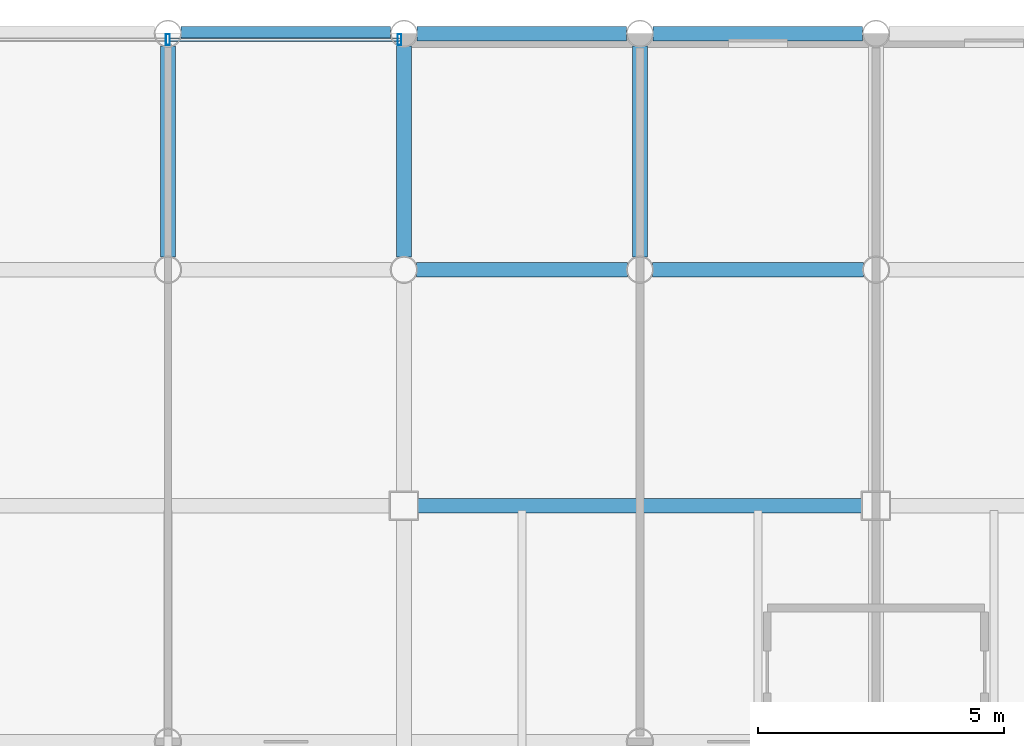
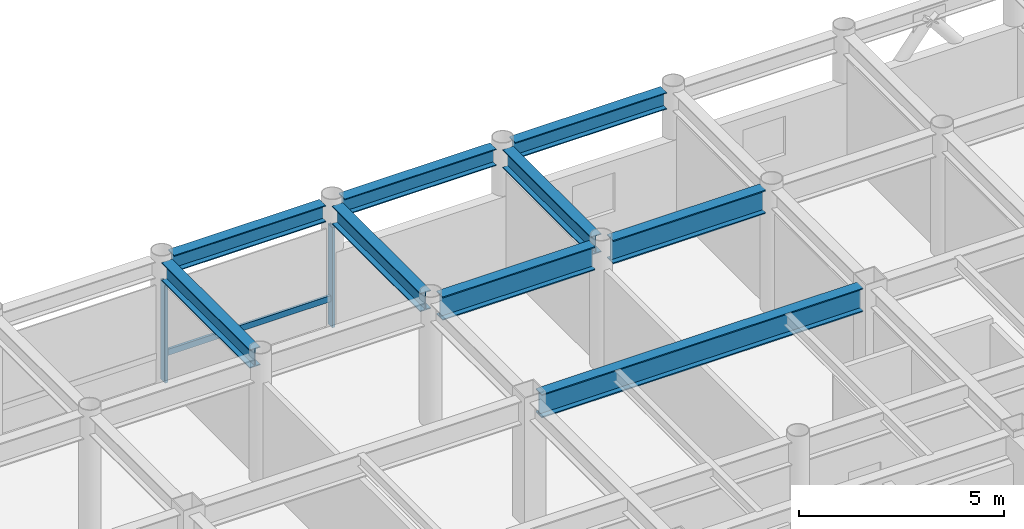
# One storey, part 15 of 22: 9 beams, 3 members, 1 element without a shape of its own.
"""IFC4 building model written with IfcOpenShell, lengths in metres."""

from ifc_helpers import new_model, si_unit, direction, frame, origin, origin_2d, place, context, subcontext, project, spatial, hollow_rectangle, i_section, extrude, material, layer, layer_set, material_profile, profile_set, type_object, element, aggregate, save


model = new_model("IFC4")

# Units and contexts
model_context = context("Model", 3, precision=1e-05, world=origin(), true_north=direction((0.0, 1.0)))
body_context = subcontext(model_context, "Body", "Model", "MODEL_VIEW")
ifc_project = project(units=[si_unit("LENGTHUNIT", "METRE"), si_unit("AREAUNIT", "SQUARE_METRE"), si_unit("VOLUMEUNIT", "CUBIC_METRE"), si_unit("PLANEANGLEUNIT", "RADIAN"), si_unit("MASSUNIT", "GRAM", prefix="KILO")], contexts=[model_context])

# Site, building, storey
site_placement = place(None, origin())
site = spatial("IfcSite", under=ifc_project, at=site_placement, CompositionType="ELEMENT")
building_placement = place(site_placement, origin())
building = spatial("IfcBuilding", under=site, at=building_placement, Name="Kallvorn Hotel Tower", CompositionType="ELEMENT")
storey_placement = place(building_placement, frame((0.0, 0.0, 260.800048828125)))
storey = spatial("IfcBuildingStorey", under=building, at=storey_placement, Name="L65", CompositionType="ELEMENT", Elevation=260.800048828125)

# Beams
ifc_material_1 = material(Name="Structural steel S355JR", Category="steel")
ifc_material_profile_1 = material_profile(ifc_material_1, i_section(OverallWidth=0.300048828125, OverallDepth=0.5, WebThickness=0.014404296875, FlangeThickness=0.028076171875, at=origin_2d()), Name="HE 500 B")
ifc_profile_set_1 = profile_set([ifc_material_profile_1], Name="Structural steel S355JR")
beam_type_1 = type_object("IfcBeamType", Name="BM_HE500B", PredefinedType="SPANDREL", material=ifc_profile_set_1)
for number, where, z_axis, x_axis, name in (
    (1, (0.26953125, 24.0, 3.419921875), (1.0, 0.0, 0.0), (0.0, 1.0, 0.0), "L66 Perimeter Spandrel 169"),
    (2, (5.069580078125, 24.0, 3.419921875), (1.0, 0.0, 0.0), (0.0, 1.0, 0.0), "L66 Perimeter Spandrel 170"),
):
    element("IfcBeam", number, at=place(storey_placement, frame(where, z_axis=z_axis, x_axis=x_axis)), inside=storey, type_object=beam_type_1, Name=name, PredefinedType="SPANDREL", context=body_context, shape_type="SweptSolid", body=[
        extrude(i_section(OverallWidth=0.300048828125, OverallDepth=0.5, WebThickness=0.014404296875, FlangeThickness=0.028076171875, at=origin_2d()), origin(), (0.0, 0.0, 1.0), 4.260986328125),
    ])
beam_1_placement = place(storey_placement, frame((9.869384765625, 24.0, 3.419921875), z_axis=(1.0, 0.0, 0.0), x_axis=(0.0, 1.0, 0.0)))
element("IfcBeam", 3, at=beam_1_placement, inside=storey, type_object=beam_type_1, Name="L66 Perimeter Spandrel 171", PredefinedType="SPANDREL", context=body_context, shape_type="SweptSolid", body=[
    extrude(i_section(OverallWidth=0.300048828125, OverallDepth=0.5, WebThickness=0.014404296875, FlangeThickness=0.028076171875, at=origin_2d()), origin(), (0.0, 0.0, 1.0), 4.26123046875),
])
ifc_material_2 = material(Name="Structural steel S355JR", Category="steel")
ifc_material_profile_2 = material_profile(ifc_material_2, i_section(OverallWidth=0.300048828125, OverallDepth=0.550048828125, WebThickness=0.014892578125, FlangeThickness=0.029052734375, at=origin_2d()), Name="HE 550 B")
ifc_profile_set_2 = profile_set([ifc_material_profile_2], Name="Structural steel S355JR")
beam_type_2 = type_object("IfcBeamType", Name="BM_HE550B", PredefinedType="SPANDREL", material=ifc_profile_set_2)
for number, where, z_axis, x_axis, name in (
    (4, (0.0, 19.45458984375, 3.39501953125), (0.0, 1.0, 0.0), (-1.0, 0.0, 0.0), "L66 Primary Y-Girder 113"),
    (5, (4.800048828125, 19.45458984375, 3.39501953125), (0.0, 1.0, 0.0), (-1.0, 0.0, 0.0), "L66 Primary Y-Girder 118"),
    (6, (9.60009765625, 19.45458984375, 3.39501953125), (0.0, 1.0, 0.0), (-1.0, 0.0, 0.0), "L66 Primary Y-Girder 121"),
):
    element("IfcBeam", number, at=place(storey_placement, frame(where, z_axis=z_axis, x_axis=x_axis)), inside=storey, type_object=beam_type_2, Name=name, PredefinedType="SPANDREL", context=body_context, shape_type="SweptSolid", body=[
        extrude(i_section(OverallWidth=0.300048828125, OverallDepth=0.550048828125, WebThickness=0.014892578125, FlangeThickness=0.029052734375, at=origin_2d()), origin(), (0.0, 0.0, 1.0), 4.291015625),
    ])
ifc_material_3 = material(Name="Structural steel S355JR", Category="steel")
ifc_material_profile_3 = material_profile(ifc_material_3, i_section(OverallWidth=0.300048828125, OverallDepth=0.699951171875, WebThickness=0.01708984375, FlangeThickness=0.031982421875, at=origin_2d()), Name="HE 700 B")
ifc_profile_set_3 = profile_set([ifc_material_profile_3], Name="Structural steel S355JR")
beam_type_3 = type_object("IfcBeamType", Name="BM_HE700B", PredefinedType="BEAM", material=ifc_profile_set_3)
beam_2_placement = place(storey_placement, frame((5.074951171875, 14.39990234375, 3.320068359375), z_axis=(1.0, 0.0, 0.0), x_axis=(0.0, 1.0, 0.0)))
element("IfcBeam", 7, at=beam_2_placement, inside=storey, type_object=beam_type_3, Name="L66 Primary X-Girder 56", PredefinedType="BEAM", context=body_context, shape_type="SweptSolid", body=[
    extrude(i_section(OverallWidth=0.300048828125, OverallDepth=0.699951171875, WebThickness=0.01708984375, FlangeThickness=0.031982421875, at=origin_2d()), origin(), (0.0, 0.0, 1.0), 9.050048828125),
])
for number, where, z_axis, x_axis, name in (
    (8, (5.054443359375, 19.199951171875, 3.320068359375), (1.0, 0.0, 0.0), (0.0, 1.0, 0.0), "L66 Primary X-Girder 68"),
    (9, (9.8544921875, 19.199951171875, 3.320068359375), (1.0, 0.0, 0.0), (0.0, 1.0, 0.0), "L66 Primary X-Girder 69"),
):
    element("IfcBeam", number, at=place(storey_placement, frame(where, z_axis=z_axis, x_axis=x_axis)), inside=storey, type_object=beam_type_3, Name=name, PredefinedType="BEAM", context=body_context, shape_type="SweptSolid", body=[
        extrude(i_section(OverallWidth=0.300048828125, OverallDepth=0.699951171875, WebThickness=0.01708984375, FlangeThickness=0.031982421875, at=origin_2d()), origin(), (0.0, 0.0, 1.0), 4.291015625),
    ])

# Curtain wall, members
ifc_material_4 = material(Name="Thermally broken black-anodised aluminium AA 6063-T6", Category="aluminium")
ifc_layer = layer(ifc_material_4, 0.22998046875)
ifc_layer_set = layer_set([ifc_layer], Name="CW_SYS_5_HOTEL_HIGH")
curtain_wall_type = type_object("IfcCurtainWallType", Name="CW_SYS_5_HOTEL_HIGH", PredefinedType="USERDEFINED", material=ifc_layer_set)
curtain_wall_placement = place(storey_placement, origin())
curtain_wall = element("IfcCurtainWall", 10, at=curtain_wall_placement, inside=storey, type_object=curtain_wall_type, Name="L65 Dark-Glass Curtain Wall CW-L65-NC", ObjectType="UNITISED CURTAIN WALL", PredefinedType="USERDEFINED")
ifc_material_5 = material(Name="Thermally broken black-anodised aluminium AA 6063-T6", Category="aluminium")
ifc_material_profile_4 = material_profile(ifc_material_5, hollow_rectangle(XDim=0.080078125, YDim=0.219970703125, WallThickness=0.0048828125, at=origin_2d()), Name="MUL 220x80")
ifc_profile_set_4 = profile_set([ifc_material_profile_4], Name="Thermally broken black-anodised aluminium AA 6063-T6")
member_type_1 = type_object("IfcMemberType", Name="CW_MULLION_220x80", PredefinedType="MULLION", material=ifc_profile_set_4)
member_1_placement = place(storey_placement, frame((0.0, 23.8798828125, 0.02001953125), z_axis=(0.0, 0.0, 1.0), x_axis=(1.0, 0.0, 0.0)))
member_1 = element("IfcMember", 11, at=member_1_placement, type_object=member_type_1, Name="CW-L65-NC Mullion 01", PredefinedType="MULLION", context=body_context, shape_type="SweptSolid", body=[
    extrude(hollow_rectangle(XDim=0.080078125, YDim=0.219970703125, WallThickness=0.0048828125, at=origin_2d()), origin(), (0.0, 0.0, 1.0), 2.97998046875),
])
member_2_placement = place(storey_placement, frame((4.7099609375, 23.8798828125, 0.02001953125), z_axis=(0.0, 0.0, 1.0), x_axis=(1.0, 0.0, 0.0)))
member_2 = element("IfcMember", 12, at=member_2_placement, type_object=member_type_1, Name="CW-L65-NC Mullion 02", PredefinedType="MULLION", context=body_context, shape_type="SweptSolid", body=[
    extrude(hollow_rectangle(XDim=0.080078125, YDim=0.219970703125, WallThickness=0.0048828125, at=origin_2d()), origin(), (0.0, 0.0, 1.0), 2.97998046875),
])
ifc_material_6 = material(Name="Thermally broken black-anodised aluminium AA 6063-T6", Category="aluminium")
ifc_material_profile_5 = material_profile(ifc_material_6, hollow_rectangle(XDim=0.070068359375, YDim=0.179931640625, WallThickness=0.00390625, at=origin_2d()), Name="TRN 180x70")
ifc_profile_set_5 = profile_set([ifc_material_profile_5], Name="Thermally broken black-anodised aluminium AA 6063-T6")
member_type_2 = type_object("IfcMemberType", Name="CW_TRANSOM_180x70", PredefinedType="USERDEFINED", material=ifc_profile_set_5)
member_3_placement = place(storey_placement, frame((0.0400390625, 23.8798828125, 0.849853515625), z_axis=(1.0, 0.0, 0.0), x_axis=(0.0, 1.0, 0.0)))
member_3 = element("IfcMember", 13, at=member_3_placement, type_object=member_type_2, Name="CW-L65-NC Transom 01M", ObjectType="TRANSOM", PredefinedType="USERDEFINED", context=body_context, shape_type="SweptSolid", body=[
    extrude(hollow_rectangle(XDim=0.070068359375, YDim=0.179931640625, WallThickness=0.00390625, at=origin_2d()), origin(), (0.0, 0.0, 1.0), 4.669921875),
])
aggregate(curtain_wall, [member_1, member_2, member_3])

save(model, "model.ifc")
